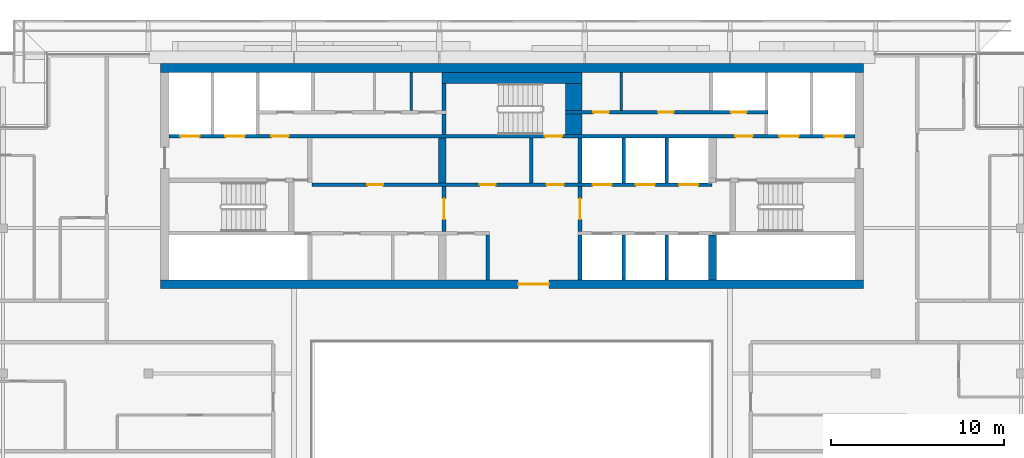
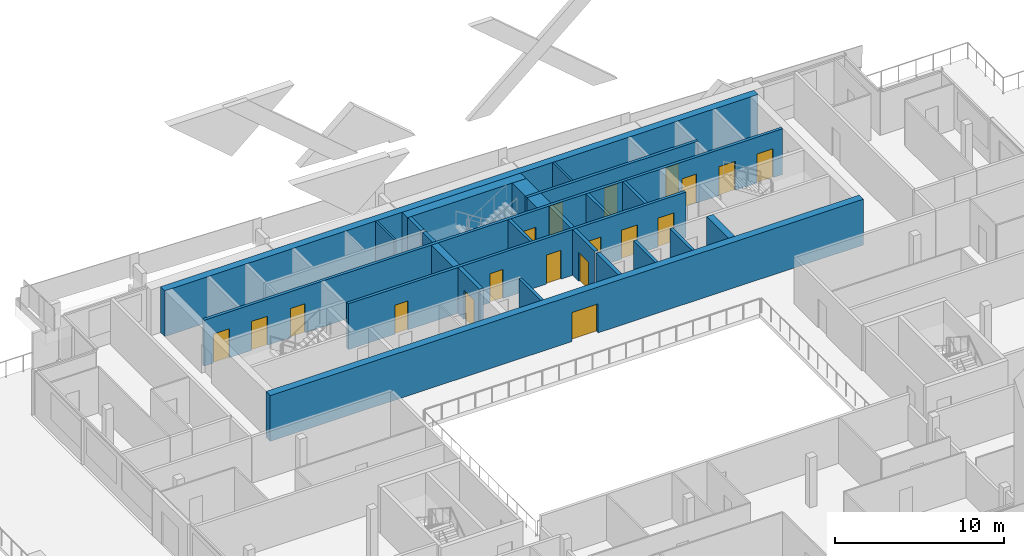
# One storey, part 20 of 29: 24 walls, 19 doors, 19 openings.
"""IFC4 building model written with IfcOpenShell, lengths in metres."""

from ifc_helpers import new_model, si_unit, direction, frame, frame_2d, origin, place, context, subcontext, project, spatial, rectangle, extrude, material, layer, layer_set, type_object, element, fill, save


model = new_model("IFC4")

# Units and contexts
model_context = context("Model", 3, precision=1e-05, world=origin(), true_north=direction((0.0, 1.0)))
body_context = subcontext(model_context, "Body", "Model", "MODEL_VIEW")
ifc_project = project(units=[si_unit("LENGTHUNIT", "METRE"), si_unit("AREAUNIT", "SQUARE_METRE"), si_unit("VOLUMEUNIT", "CUBIC_METRE"), si_unit("PLANEANGLEUNIT", "RADIAN"), si_unit("MASSUNIT", "GRAM", prefix="KILO")], contexts=[model_context])

# Site, building, storey
site_placement = place(None, origin())
site = spatial("IfcSite", under=ifc_project, at=site_placement, CompositionType="ELEMENT")
building_placement = place(site_placement, origin())
building = spatial("IfcBuilding", under=site, at=building_placement, Name="Saffron Gate Tower", CompositionType="ELEMENT")
storey_placement = place(building_placement, frame((0.0, 0.0, 270.75)))
storey = spatial("IfcBuildingStorey", under=building, at=storey_placement, Name="L65", CompositionType="ELEMENT", Elevation=270.75)

# Walls
ifc_material_1 = material(Name="Gypsum board partition on steel studs", Category="steel")
ifc_layer_1 = layer(ifc_material_1, 0.199951171875)
ifc_layer_set_1 = layer_set([ifc_layer_1], Name="CW10 Core partition 200")
wall_type_1 = type_object("IfcWallType", Name="CW10 Core partition 200", PredefinedType="PARTITIONING", material=ifc_layer_set_1)
for number, where, z_axis, x_axis, name in (
    (1, (86.199951171875, 62.39990234375, 0.0), (0.0, 0.0, 1.0), (0.0, 1.0, 0.0), "Wall CW10-L65-8"),
    (2, (88.699951171875, 68.0, 0.0), (0.0, 0.0, 1.0), (0.0, 1.0, 0.0), "Wall CW10-L65-21"),
):
    element("IfcWall", number, at=place(storey_placement, frame(where, z_axis=z_axis, x_axis=x_axis)), inside=storey, type_object=wall_type_1, Name=name, PredefinedType="PARTITIONING", context=body_context, shape_type="SweptSolid", body=[
        extrude(rectangle(XDim=2.60009765625, YDim=0.199951171875, at=frame_2d((1.300048828125, 0.0))), origin(), (0.0, 0.0, 1.0), 3.320068359375),
    ])

# Wall, opening, door
ifc_material_2 = material(Name="Concrete C50", Category="concrete")
ifc_layer_2 = layer(ifc_material_2, 0.5)
ifc_layer_set_2 = layer_set([ifc_layer_2], Name="CW22 RC core wall 500 C50")
wall_type_2 = type_object("IfcWallType", Name="CW22 RC core wall 500 C50", PredefinedType="SOLIDWALL", material=ifc_layer_set_2)
wall_1_placement = place(storey_placement, frame((67.300048828125, 62.14990234375, 0.0), z_axis=(0.0, 0.0, 1.0), x_axis=(1.0, 0.0, 0.0)))
wall_1 = element("IfcWall", 3, at=wall_1_placement, inside=storey, type_object=wall_type_2, Name="Wall CW22-L65-1", PredefinedType="SOLIDWALL", context=body_context, shape_type="SweptSolid", body=[
    extrude(rectangle(XDim=40.599853515625, YDim=0.5, at=frame_2d((20.2998046875, 0.0))), origin(), (0.0, 0.0, 1.0), 3.320068359375),
])
opening_1_placement = place(wall_1_placement, frame((20.64990234375, 0.0, 0.0)))
opening_1 = element("IfcOpeningElement", 4, at=opening_1_placement, cuts=wall_1, Name="Opening CR-09", PredefinedType="OPENING", context=body_context, shape_type="SweptSolid", body=[
    extrude(rectangle(XDim=1.800048828125, YDim=2.10009765625, at=frame_2d((0.89990234375, 1.050048828125))), frame((0.0, 0.260009765625, 0.0), z_axis=(0.0, -1.0, 0.0), x_axis=(1.0, 0.0, 0.0)), (0.0, 0.0, 1.0), 0.52001953125),
])
ifc_material_3 = material(Name="Steel fire door set", Category="steel")
door_type_1 = type_object("IfcDoorType", Name="CD1 Core entrance door 1800x2100 EI 120", OperationType="NOTDEFINED", PredefinedType="DOOR", material=ifc_material_3)
door_1_placement = place(opening_1_placement, origin())
door_1 = element("IfcDoor", 5, at=door_1_placement, inside=storey, type_object=door_type_1, Name="DOOR CR-09", OperationType="DOUBLE_DOOR_SINGLE_SWING", OverallHeight=2.10009765625, OverallWidth=1.800048828125, PredefinedType="DOOR", context=body_context, shape_type="SweptSolid", body=[
    extrude(rectangle(XDim=1.800048828125, YDim=2.10009765625, at=frame_2d((0.89990234375, 1.050048828125))), frame((0.0, 0.02490234375, 0.0), z_axis=(0.0, -1.0, 0.0), x_axis=(1.0, 0.0, 0.0)), (0.0, 0.0, 1.0), 0.050048828125),
])
fill(opening_1, door_1)

# Walls
wall_2_placement = place(storey_placement, frame((67.300048828125, 74.64990234375, 0.0), z_axis=(0.0, 0.0, 1.0), x_axis=(1.0, 0.0, 0.0)))
element("IfcWall", 6, at=wall_2_placement, inside=storey, type_object=wall_type_2, Name="Wall CW22-L65-2", PredefinedType="SOLIDWALL", context=body_context, shape_type="SweptSolid", body=[
    extrude(rectangle(XDim=40.599853515625, YDim=0.5, at=frame_2d((20.2998046875, 0.0))), origin(), (0.0, 0.0, 1.0), 3.320068359375),
])
ifc_layer_3 = layer(ifc_material_2, 0.25)
ifc_layer_set_3 = layer_set([ifc_layer_3], Name="CW23 RC core wall 250 C50")
wall_type_3 = type_object("IfcWallType", Name="CW23 RC core wall 250 C50", PredefinedType="SOLIDWALL", material=ifc_layer_set_3)
wall_3_placement = place(storey_placement, frame((91.52490234375, 62.39990234375, 0.0), z_axis=(0.0, 0.0, 1.0), x_axis=(0.0, 1.0, 0.0)))
element("IfcWall", 7, at=wall_3_placement, inside=storey, type_object=wall_type_3, Name="Wall CW23-L65-9", PredefinedType="SOLIDWALL", context=body_context, shape_type="SweptSolid", body=[
    extrude(rectangle(XDim=2.60009765625, YDim=0.25, at=frame_2d((1.300048828125, 0.0))), origin(), (0.0, 0.0, 1.0), 3.320068359375),
])

# Wall, opening, door
wall_4_placement = place(storey_placement, frame((83.675048828125, 65.199951171875, 0.0), z_axis=(0.0, 0.0, 1.0), x_axis=(0.0, 1.0, 0.0)))
wall_4 = element("IfcWall", 8, at=wall_4_placement, inside=storey, type_object=wall_type_3, Name="Wall CW23-L65-16", PredefinedType="SOLIDWALL", context=body_context, shape_type="SweptSolid", body=[
    extrude(rectangle(XDim=2.60009765625, YDim=0.25, at=frame_2d((1.300048828125, 0.0))), origin(), (0.0, 0.0, 1.0), 3.320068359375),
])
opening_2_placement = place(wall_4_placement, frame((0.699951171875, 0.0, 0.0)))
opening_2 = element("IfcOpeningElement", 9, at=opening_2_placement, cuts=wall_4, Name="Opening CR-07", PredefinedType="OPENING", context=body_context, shape_type="SweptSolid", body=[
    extrude(rectangle(XDim=1.199951171875, YDim=2.10009765625, at=frame_2d((0.60009765625, 1.050048828125))), frame((0.0, 0.135009765625, 0.0), z_axis=(0.0, -1.0, 0.0), x_axis=(1.0, 0.0, 0.0)), (0.0, 0.0, 1.0), 0.27001953125),
])
door_type_2 = type_object("IfcDoorType", Name="CD3 Lobby door 1200x2100 EI 120", OperationType="NOTDEFINED", PredefinedType="DOOR", material=ifc_material_3)
door_2_placement = place(opening_2_placement, origin())
door_2 = element("IfcDoor", 10, at=door_2_placement, inside=storey, type_object=door_type_2, Name="DOOR CR-07", OperationType="SINGLE_SWING_RIGHT", OverallHeight=2.10009765625, OverallWidth=1.199951171875, PredefinedType="DOOR", context=body_context, shape_type="SweptSolid", body=[
    extrude(rectangle(XDim=1.199951171875, YDim=2.10009765625, at=frame_2d((0.60009765625, 1.050048828125))), frame((0.0, 0.02490234375, 0.0), z_axis=(0.0, -1.0, 0.0), x_axis=(1.0, 0.0, 0.0)), (0.0, 0.0, 1.0), 0.050048828125),
])
fill(opening_2, door_2)

wall_5_placement = place(storey_placement, frame((91.52490234375, 65.199951171875, 0.0), z_axis=(0.0, 0.0, 1.0), x_axis=(0.0, 1.0, 0.0)))
wall_5 = element("IfcWall", 11, at=wall_5_placement, inside=storey, type_object=wall_type_3, Name="Wall CW23-L65-17", PredefinedType="SOLIDWALL", context=body_context, shape_type="SweptSolid", body=[
    extrude(rectangle(XDim=2.60009765625, YDim=0.25, at=frame_2d((1.300048828125, 0.0))), origin(), (0.0, 0.0, 1.0), 3.320068359375),
])
opening_3_placement = place(wall_5_placement, frame((0.699951171875, 0.0, 0.0)))
opening_3 = element("IfcOpeningElement", 12, at=opening_3_placement, cuts=wall_5, Name="Opening CR-01", PredefinedType="OPENING", context=body_context, shape_type="SweptSolid", body=[
    extrude(rectangle(XDim=1.199951171875, YDim=2.10009765625, at=frame_2d((0.60009765625, 1.050048828125))), frame((0.0, 0.135009765625, 0.0), z_axis=(0.0, -1.0, 0.0), x_axis=(1.0, 0.0, 0.0)), (0.0, 0.0, 1.0), 0.27001953125),
])
door_3_placement = place(opening_3_placement, origin())
door_3 = element("IfcDoor", 13, at=door_3_placement, inside=storey, type_object=door_type_2, Name="DOOR CR-01", OperationType="SINGLE_SWING_RIGHT", OverallHeight=2.10009765625, OverallWidth=1.199951171875, PredefinedType="DOOR", context=body_context, shape_type="SweptSolid", body=[
    extrude(rectangle(XDim=1.199951171875, YDim=2.10009765625, at=frame_2d((0.60009765625, 1.050048828125))), frame((0.0, 0.02490234375, 0.0), z_axis=(0.0, -1.0, 0.0), x_axis=(1.0, 0.0, 0.0)), (0.0, 0.0, 1.0), 0.050048828125),
])
fill(opening_3, door_3)

# Walls
wall_6_placement = place(storey_placement, frame((91.52490234375, 68.0, 0.0), z_axis=(0.0, 0.0, 1.0), x_axis=(0.0, 1.0, 0.0)))
element("IfcWall", 14, at=wall_6_placement, inside=storey, type_object=wall_type_3, Name="Wall CW23-L65-22", PredefinedType="SOLIDWALL", context=body_context, shape_type="SweptSolid", body=[
    extrude(rectangle(XDim=2.60009765625, YDim=0.25, at=frame_2d((1.300048828125, 0.0))), origin(), (0.0, 0.0, 1.0), 3.320068359375),
])
wall_7_placement = place(storey_placement, frame((83.675048828125, 70.800048828125, 0.0), z_axis=(0.0, 0.0, 1.0), x_axis=(0.0, 1.0, 0.0)))
element("IfcWall", 15, at=wall_7_placement, inside=storey, type_object=wall_type_3, Name="Wall CW23-L65-33", PredefinedType="SOLIDWALL", context=body_context, shape_type="SweptSolid", body=[
    extrude(rectangle(XDim=1.199951171875, YDim=0.25, at=frame_2d((0.60009765625, 0.0))), origin(), (0.0, 0.0, 1.0), 3.320068359375),
])
wall_8_placement = place(storey_placement, frame((83.675048828125, 72.199951171875, 0.0), z_axis=(0.0, 0.0, 1.0), x_axis=(0.0, 1.0, 0.0)))
element("IfcWall", 16, at=wall_8_placement, inside=storey, type_object=wall_type_3, Name="Wall CW23-L65-43", PredefinedType="SOLIDWALL", context=body_context, shape_type="SweptSolid", body=[
    extrude(rectangle(XDim=1.550048828125, YDim=0.25, at=frame_2d((0.77490234375, 0.0))), origin(), (0.0, 0.0, 1.0), 3.320068359375),
])
ifc_layer_4 = layer(ifc_material_2, 0.449951171875)
ifc_layer_set_4 = layer_set([ifc_layer_4], Name="CW24 RC core wall 450 C50")
wall_type_4 = type_object("IfcWallType", Name="CW24 RC core wall 450 C50", PredefinedType="SOLIDWALL", material=ifc_layer_set_4)
for number, where, z_axis, x_axis, name in (
    (17, (99.175048828125, 62.39990234375, 0.0), (0.0, 0.0, 1.0), (0.0, 1.0, 0.0), "Wall CW24-L65-12"),
    (18, (83.574951171875, 68.0, 0.0), (0.0, 0.0, 1.0), (0.0, 1.0, 0.0), "Wall CW24-L65-20"),
):
    element("IfcWall", number, at=place(storey_placement, frame(where, z_axis=z_axis, x_axis=x_axis)), inside=storey, type_object=wall_type_4, Name=name, PredefinedType="SOLIDWALL", context=body_context, shape_type="SweptSolid", body=[
        extrude(rectangle(XDim=2.60009765625, YDim=0.449951171875, at=frame_2d((1.300048828125, 0.0))), origin(), (0.0, 0.0, 1.0), 3.320068359375),
    ])
ifc_layer_5 = layer(ifc_material_2, 0.199951171875)
ifc_layer_set_5 = layer_set([ifc_layer_5], Name="CW25 RC core wall 200 C50")
wall_type_5 = type_object("IfcWallType", Name="CW25 RC core wall 200 C50", PredefinedType="SOLIDWALL", material=ifc_layer_set_5)
for number, where, z_axis, x_axis, name in (
    (19, (94.050048828125, 62.39990234375, 0.0), (0.0, 0.0, 1.0), (0.0, 1.0, 0.0), "Wall CW25-L65-10"),
    (20, (96.550048828125, 62.39990234375, 0.0), (0.0, 0.0, 1.0), (0.0, 1.0, 0.0), "Wall CW25-L65-11"),
):
    element("IfcWall", number, at=place(storey_placement, frame(where, z_axis=z_axis, x_axis=x_axis)), inside=storey, type_object=wall_type_5, Name=name, PredefinedType="SOLIDWALL", context=body_context, shape_type="SweptSolid", body=[
        extrude(rectangle(XDim=2.60009765625, YDim=0.199951171875, at=frame_2d((1.300048828125, 0.0))), origin(), (0.0, 0.0, 1.0), 3.320068359375),
    ])

# Wall, openings, doors
wall_9_placement = place(storey_placement, frame((76.050048828125, 67.89990234375, 0.0), z_axis=(0.0, 0.0, 1.0), x_axis=(1.0, 0.0, 0.0)))
wall_9 = element("IfcWall", 21, at=wall_9_placement, inside=storey, type_object=wall_type_5, Name="Wall CW25-L65-19", PredefinedType="SOLIDWALL", context=body_context, shape_type="SweptSolid", body=[
    extrude(rectangle(XDim=23.099853515625, YDim=0.199951171875, at=frame_2d((11.5498046875, 0.0))), origin(), (0.0, 0.0, 1.0), 3.320068359375),
])
opening_4_placement = place(wall_9_placement, frame((3.199951171875, 0.0, 0.0)))
opening_4 = element("IfcOpeningElement", 22, at=opening_4_placement, cuts=wall_9, Name="Opening CR-61", PredefinedType="OPENING", context=body_context, shape_type="SweptSolid", body=[
    extrude(rectangle(XDim=0.89990234375, YDim=2.10009765625, at=frame_2d((0.449951171875, 1.050048828125))), frame((0.0, 0.10986328125, 0.0), z_axis=(0.0, -1.0, 0.0), x_axis=(1.0, 0.0, 0.0)), (0.0, 0.0, 1.0), 0.219970703125),
])
opening_5_placement = place(wall_9_placement, frame((9.699951171875, 0.0, 0.0)))
opening_5 = element("IfcOpeningElement", 23, at=opening_5_placement, cuts=wall_9, Name="Opening CR-67", PredefinedType="OPENING", context=body_context, shape_type="SweptSolid", body=[
    extrude(rectangle(XDim=0.89990234375, YDim=2.10009765625, at=frame_2d((0.449951171875, 1.050048828125))), frame((0.0, 0.10986328125, 0.0), z_axis=(0.0, -1.0, 0.0), x_axis=(1.0, 0.0, 0.0)), (0.0, 0.0, 1.0), 0.219970703125),
])
opening_6_placement = place(wall_9_placement, frame((13.550048828125, 0.0, 0.0)))
opening_6 = element("IfcOpeningElement", 24, at=opening_6_placement, cuts=wall_9, Name="Opening CR-02", PredefinedType="OPENING", context=body_context, shape_type="SweptSolid", body=[
    extrude(rectangle(XDim=1.0, YDim=2.10009765625, at=frame_2d((0.5, 1.050048828125))), frame((0.0, 0.10986328125, 0.0), z_axis=(0.0, -1.0, 0.0), x_axis=(1.0, 0.0, 0.0)), (0.0, 0.0, 1.0), 0.219970703125),
])
opening_7_placement = place(wall_9_placement, frame((16.199951171875, 0.0, 0.0)))
opening_7 = element("IfcOpeningElement", 25, at=opening_7_placement, cuts=wall_9, Name="Opening LD-HR4", PredefinedType="OPENING", context=body_context, shape_type="SweptSolid", body=[
    extrude(rectangle(XDim=1.10009765625, YDim=2.10009765625, at=frame_2d((0.550048828125, 1.050048828125))), frame((0.0, 0.10986328125, 0.0), z_axis=(0.0, -1.0, 0.0), x_axis=(1.0, 0.0, 0.0)), (0.0, 0.0, 1.0), 0.219970703125),
])
opening_8_placement = place(wall_9_placement, frame((18.699951171875, 0.0, 0.0)))
opening_8 = element("IfcOpeningElement", 26, at=opening_8_placement, cuts=wall_9, Name="Opening LD-HR5", PredefinedType="OPENING", context=body_context, shape_type="SweptSolid", body=[
    extrude(rectangle(XDim=1.10009765625, YDim=2.10009765625, at=frame_2d((0.550048828125, 1.050048828125))), frame((0.0, 0.10986328125, 0.0), z_axis=(0.0, -1.0, 0.0), x_axis=(1.0, 0.0, 0.0)), (0.0, 0.0, 1.0), 0.219970703125),
])
opening_9_placement = place(wall_9_placement, frame((21.199951171875, 0.0, 0.0)))
opening_9 = element("IfcOpeningElement", 27, at=opening_9_placement, cuts=wall_9, Name="Opening LD-HR6", PredefinedType="OPENING", context=body_context, shape_type="SweptSolid", body=[
    extrude(rectangle(XDim=1.10009765625, YDim=2.10009765625, at=frame_2d((0.550048828125, 1.050048828125))), frame((0.0, 0.10986328125, 0.0), z_axis=(0.0, -1.0, 0.0), x_axis=(1.0, 0.0, 0.0)), (0.0, 0.0, 1.0), 0.219970703125),
])
door_type_3 = type_object("IfcDoorType", Name="CD4 Lobby door 1000x2100 EI 120", OperationType="NOTDEFINED", PredefinedType="DOOR", material=ifc_material_3)
door_4_placement = place(opening_6_placement, origin())
door_4 = element("IfcDoor", 28, at=door_4_placement, inside=storey, type_object=door_type_3, Name="DOOR CR-02", OperationType="SINGLE_SWING_LEFT", OverallHeight=2.10009765625, OverallWidth=1.0, PredefinedType="DOOR", context=body_context, shape_type="SweptSolid", body=[
    extrude(rectangle(XDim=1.0, YDim=2.10009765625, at=frame_2d((0.5, 1.050048828125))), frame((0.0, 0.02490234375, 0.0), z_axis=(0.0, -1.0, 0.0), x_axis=(1.0, 0.0, 0.0)), (0.0, 0.0, 1.0), 0.050048828125),
])
fill(opening_6, door_4)
door_type_4 = type_object("IfcDoorType", Name="CD9 Room door 900x2100 EI 60", OperationType="NOTDEFINED", PredefinedType="DOOR", material=ifc_material_3)
door_5_placement = place(opening_4_placement, origin())
door_5 = element("IfcDoor", 29, at=door_5_placement, inside=storey, type_object=door_type_4, Name="DOOR CR-61", OperationType="SINGLE_SWING_LEFT", OverallHeight=2.10009765625, OverallWidth=0.89990234375, PredefinedType="DOOR", context=body_context, shape_type="SweptSolid", body=[
    extrude(rectangle(XDim=0.89990234375, YDim=2.10009765625, at=frame_2d((0.449951171875, 1.050048828125))), frame((0.0, 0.02490234375, 0.0), z_axis=(0.0, -1.0, 0.0), x_axis=(1.0, 0.0, 0.0)), (0.0, 0.0, 1.0), 0.050048828125),
])
fill(opening_4, door_5)
door_6_placement = place(opening_5_placement, origin())
door_6 = element("IfcDoor", 30, at=door_6_placement, inside=storey, type_object=door_type_4, Name="DOOR CR-67", OperationType="SINGLE_SWING_LEFT", OverallHeight=2.10009765625, OverallWidth=0.89990234375, PredefinedType="DOOR", context=body_context, shape_type="SweptSolid", body=[
    extrude(rectangle(XDim=0.89990234375, YDim=2.10009765625, at=frame_2d((0.449951171875, 1.050048828125))), frame((0.0, 0.02490234375, 0.0), z_axis=(0.0, -1.0, 0.0), x_axis=(1.0, 0.0, 0.0)), (0.0, 0.0, 1.0), 0.050048828125),
])
fill(opening_5, door_6)
ifc_material_4 = material(Name="Stainless steel landing door", Category="steel")
door_type_5 = type_object("IfcDoorType", Name="LD Lift landing door 1100x2100 EI 120", OperationType="SLIDING_TO_LEFT", PredefinedType="DOOR", material=ifc_material_4)
door_7_placement = place(opening_7_placement, origin())
door_7 = element("IfcDoor", 31, at=door_7_placement, inside=storey, type_object=door_type_5, Name="LANDING DOOR LD-HR4", OperationType="SLIDING_TO_RIGHT", OverallHeight=2.10009765625, OverallWidth=1.10009765625, PredefinedType="DOOR", context=body_context, shape_type="SweptSolid", body=[
    extrude(rectangle(XDim=1.10009765625, YDim=2.10009765625, at=frame_2d((0.550048828125, 1.050048828125))), frame((0.0, 0.02490234375, 0.0), z_axis=(0.0, -1.0, 0.0), x_axis=(1.0, 0.0, 0.0)), (0.0, 0.0, 1.0), 0.050048828125),
])
fill(opening_7, door_7)
door_8_placement = place(opening_8_placement, origin())
door_8 = element("IfcDoor", 32, at=door_8_placement, inside=storey, type_object=door_type_5, Name="LANDING DOOR LD-HR5", OperationType="SLIDING_TO_RIGHT", OverallHeight=2.10009765625, OverallWidth=1.10009765625, PredefinedType="DOOR", context=body_context, shape_type="SweptSolid", body=[
    extrude(rectangle(XDim=1.10009765625, YDim=2.10009765625, at=frame_2d((0.550048828125, 1.050048828125))), frame((0.0, 0.02490234375, 0.0), z_axis=(0.0, -1.0, 0.0), x_axis=(1.0, 0.0, 0.0)), (0.0, 0.0, 1.0), 0.050048828125),
])
fill(opening_8, door_8)
door_9_placement = place(opening_9_placement, origin())
door_9 = element("IfcDoor", 33, at=door_9_placement, inside=storey, type_object=door_type_5, Name="LANDING DOOR LD-HR6", OperationType="SLIDING_TO_RIGHT", OverallHeight=2.10009765625, OverallWidth=1.10009765625, PredefinedType="DOOR", context=body_context, shape_type="SweptSolid", body=[
    extrude(rectangle(XDim=1.10009765625, YDim=2.10009765625, at=frame_2d((0.550048828125, 1.050048828125))), frame((0.0, 0.02490234375, 0.0), z_axis=(0.0, -1.0, 0.0), x_axis=(1.0, 0.0, 0.0)), (0.0, 0.0, 1.0), 0.050048828125),
])
fill(opening_9, door_9)

# Walls
for number, where, z_axis, x_axis, name in (
    (34, (94.050048828125, 68.0, 0.0), (0.0, 0.0, 1.0), (0.0, 1.0, 0.0), "Wall CW25-L65-23"),
    (35, (96.550048828125, 68.0, 0.0), (0.0, 0.0, 1.0), (0.0, 1.0, 0.0), "Wall CW25-L65-24"),
):
    element("IfcWall", number, at=place(storey_placement, frame(where, z_axis=z_axis, x_axis=x_axis)), inside=storey, type_object=wall_type_5, Name=name, PredefinedType="SOLIDWALL", context=body_context, shape_type="SweptSolid", body=[
        extrude(rectangle(XDim=2.60009765625, YDim=0.199951171875, at=frame_2d((1.300048828125, 0.0))), origin(), (0.0, 0.0, 1.0), 3.320068359375),
    ])

# Wall, openings, doors
wall_10_placement = place(storey_placement, frame((67.800048828125, 70.699951171875, 0.0), z_axis=(0.0, 0.0, 1.0), x_axis=(1.0, 0.0, 0.0)))
wall_10 = element("IfcWall", 36, at=wall_10_placement, inside=storey, type_object=wall_type_5, Name="Wall CW25-L65-30", PredefinedType="SOLIDWALL", context=body_context, shape_type="SweptSolid", body=[
    extrude(rectangle(XDim=39.599853515625, YDim=0.199951171875, at=frame_2d((19.7998046875, 0.0))), origin(), (0.0, 0.0, 1.0), 3.320068359375),
])
opening_10_placement = place(wall_10_placement, frame((0.64990234375, 0.0, 0.0)))
opening_10 = element("IfcOpeningElement", 37, at=opening_10_placement, cuts=wall_10, Name="Opening LD-FF1", PredefinedType="OPENING", context=body_context, shape_type="SweptSolid", body=[
    extrude(rectangle(XDim=1.10009765625, YDim=2.10009765625, at=frame_2d((0.550048828125, 1.050048828125))), frame((0.0, 0.10986328125, 0.0), z_axis=(0.0, -1.0, 0.0), x_axis=(1.0, 0.0, 0.0)), (0.0, 0.0, 1.0), 0.219970703125),
])
opening_11_placement = place(wall_10_placement, frame((3.25, 0.0, 0.0)))
opening_11 = element("IfcOpeningElement", 38, at=opening_11_placement, cuts=wall_10, Name="Opening LD-SV1", PredefinedType="OPENING", context=body_context, shape_type="SweptSolid", body=[
    extrude(rectangle(XDim=1.10009765625, YDim=2.10009765625, at=frame_2d((0.550048828125, 1.050048828125))), frame((0.0, 0.10986328125, 0.0), z_axis=(0.0, -1.0, 0.0), x_axis=(1.0, 0.0, 0.0)), (0.0, 0.0, 1.0), 0.219970703125),
])
opening_12_placement = place(wall_10_placement, frame((5.89990234375, 0.0, 0.0)))
opening_12 = element("IfcOpeningElement", 39, at=opening_12_placement, cuts=wall_10, Name="Opening CR-03", PredefinedType="OPENING", context=body_context, shape_type="SweptSolid", body=[
    extrude(rectangle(XDim=1.0, YDim=2.10009765625, at=frame_2d((0.5, 1.050048828125))), frame((0.0, 0.10986328125, 0.0), z_axis=(0.0, -1.0, 0.0), x_axis=(1.0, 0.0, 0.0)), (0.0, 0.0, 1.0), 0.219970703125),
])
opening_13_placement = place(wall_10_placement, frame((21.699951171875, 0.0, 0.0)))
opening_13 = element("IfcOpeningElement", 40, at=opening_13_placement, cuts=wall_10, Name="Opening CR-17", PredefinedType="OPENING", context=body_context, shape_type="SweptSolid", body=[
    extrude(rectangle(XDim=1.0, YDim=2.10009765625, at=frame_2d((0.5, 1.050048828125))), frame((0.0, 0.10986328125, 0.0), z_axis=(0.0, -1.0, 0.0), x_axis=(1.0, 0.0, 0.0)), (0.0, 0.0, 1.0), 0.219970703125),
])
opening_14_placement = place(wall_10_placement, frame((32.699951171875, 0.0, 0.0)))
opening_14 = element("IfcOpeningElement", 41, at=opening_14_placement, cuts=wall_10, Name="Opening CR-04", PredefinedType="OPENING", context=body_context, shape_type="SweptSolid", body=[
    extrude(rectangle(XDim=1.0, YDim=2.10009765625, at=frame_2d((0.5, 1.050048828125))), frame((0.0, 0.10986328125, 0.0), z_axis=(0.0, -1.0, 0.0), x_axis=(1.0, 0.0, 0.0)), (0.0, 0.0, 1.0), 0.219970703125),
])
opening_15_placement = place(wall_10_placement, frame((35.25, 0.0, 0.0)))
opening_15 = element("IfcOpeningElement", 42, at=opening_15_placement, cuts=wall_10, Name="Opening LD-SV2", PredefinedType="OPENING", context=body_context, shape_type="SweptSolid", body=[
    extrude(rectangle(XDim=1.10009765625, YDim=2.10009765625, at=frame_2d((0.550048828125, 1.050048828125))), frame((0.0, 0.10986328125, 0.0), z_axis=(0.0, -1.0, 0.0), x_axis=(1.0, 0.0, 0.0)), (0.0, 0.0, 1.0), 0.219970703125),
])
opening_16_placement = place(wall_10_placement, frame((37.85009765625, 0.0, 0.0)))
opening_16 = element("IfcOpeningElement", 43, at=opening_16_placement, cuts=wall_10, Name="Opening LD-FF2", PredefinedType="OPENING", context=body_context, shape_type="SweptSolid", body=[
    extrude(rectangle(XDim=1.10009765625, YDim=2.10009765625, at=frame_2d((0.550048828125, 1.050048828125))), frame((0.0, 0.10986328125, 0.0), z_axis=(0.0, -1.0, 0.0), x_axis=(1.0, 0.0, 0.0)), (0.0, 0.0, 1.0), 0.219970703125),
])
door_10_placement = place(opening_12_placement, origin())
door_10 = element("IfcDoor", 44, at=door_10_placement, inside=storey, type_object=door_type_3, Name="DOOR CR-03", OperationType="SINGLE_SWING_LEFT", OverallHeight=2.10009765625, OverallWidth=1.0, PredefinedType="DOOR", context=body_context, shape_type="SweptSolid", body=[
    extrude(rectangle(XDim=1.0, YDim=2.10009765625, at=frame_2d((0.5, 1.050048828125))), frame((0.0, 0.02490234375, 0.0), z_axis=(0.0, -1.0, 0.0), x_axis=(1.0, 0.0, 0.0)), (0.0, 0.0, 1.0), 0.050048828125),
])
fill(opening_12, door_10)
door_11_placement = place(opening_14_placement, origin())
door_11 = element("IfcDoor", 45, at=door_11_placement, inside=storey, type_object=door_type_3, Name="DOOR CR-04", OperationType="SINGLE_SWING_RIGHT", OverallHeight=2.10009765625, OverallWidth=1.0, PredefinedType="DOOR", context=body_context, shape_type="SweptSolid", body=[
    extrude(rectangle(XDim=1.0, YDim=2.10009765625, at=frame_2d((0.5, 1.050048828125))), frame((0.0, 0.02490234375, 0.0), z_axis=(0.0, -1.0, 0.0), x_axis=(1.0, 0.0, 0.0)), (0.0, 0.0, 1.0), 0.050048828125),
])
fill(opening_14, door_11)
door_type_6 = type_object("IfcDoorType", Name="CD5 Stair door 1000x2100 EI 120", OperationType="NOTDEFINED", PredefinedType="DOOR", material=ifc_material_3)
door_12_placement = place(opening_13_placement, origin())
door_12 = element("IfcDoor", 46, at=door_12_placement, inside=storey, type_object=door_type_6, Name="DOOR CR-17", OperationType="SINGLE_SWING_RIGHT", OverallHeight=2.10009765625, OverallWidth=1.0, PredefinedType="DOOR", context=body_context, shape_type="SweptSolid", body=[
    extrude(rectangle(XDim=1.0, YDim=2.10009765625, at=frame_2d((0.5, 1.050048828125))), frame((0.0, 0.02490234375, 0.0), z_axis=(0.0, -1.0, 0.0), x_axis=(1.0, 0.0, 0.0)), (0.0, 0.0, 1.0), 0.050048828125),
])
fill(opening_13, door_12)
door_13_placement = place(opening_10_placement, origin())
door_13 = element("IfcDoor", 47, at=door_13_placement, inside=storey, type_object=door_type_5, Name="LANDING DOOR LD-FF1", OperationType="SLIDING_TO_RIGHT", OverallHeight=2.10009765625, OverallWidth=1.10009765625, PredefinedType="DOOR", context=body_context, shape_type="SweptSolid", body=[
    extrude(rectangle(XDim=1.10009765625, YDim=2.10009765625, at=frame_2d((0.550048828125, 1.050048828125))), frame((0.0, 0.02490234375, 0.0), z_axis=(0.0, -1.0, 0.0), x_axis=(1.0, 0.0, 0.0)), (0.0, 0.0, 1.0), 0.050048828125),
])
fill(opening_10, door_13)
door_14_placement = place(opening_11_placement, origin())
door_14 = element("IfcDoor", 48, at=door_14_placement, inside=storey, type_object=door_type_5, Name="LANDING DOOR LD-SV1", OperationType="SLIDING_TO_RIGHT", OverallHeight=2.10009765625, OverallWidth=1.10009765625, PredefinedType="DOOR", context=body_context, shape_type="SweptSolid", body=[
    extrude(rectangle(XDim=1.10009765625, YDim=2.10009765625, at=frame_2d((0.550048828125, 1.050048828125))), frame((0.0, 0.02490234375, 0.0), z_axis=(0.0, -1.0, 0.0), x_axis=(1.0, 0.0, 0.0)), (0.0, 0.0, 1.0), 0.050048828125),
])
fill(opening_11, door_14)
door_15_placement = place(opening_15_placement, origin())
door_15 = element("IfcDoor", 49, at=door_15_placement, inside=storey, type_object=door_type_5, Name="LANDING DOOR LD-SV2", OperationType="SLIDING_TO_RIGHT", OverallHeight=2.10009765625, OverallWidth=1.10009765625, PredefinedType="DOOR", context=body_context, shape_type="SweptSolid", body=[
    extrude(rectangle(XDim=1.10009765625, YDim=2.10009765625, at=frame_2d((0.550048828125, 1.050048828125))), frame((0.0, 0.02490234375, 0.0), z_axis=(0.0, -1.0, 0.0), x_axis=(1.0, 0.0, 0.0)), (0.0, 0.0, 1.0), 0.050048828125),
])
fill(opening_15, door_15)
door_16_placement = place(opening_16_placement, origin())
door_16 = element("IfcDoor", 50, at=door_16_placement, inside=storey, type_object=door_type_5, Name="LANDING DOOR LD-FF2", OperationType="SLIDING_TO_RIGHT", OverallHeight=2.10009765625, OverallWidth=1.10009765625, PredefinedType="DOOR", context=body_context, shape_type="SweptSolid", body=[
    extrude(rectangle(XDim=1.10009765625, YDim=2.10009765625, at=frame_2d((0.550048828125, 1.050048828125))), frame((0.0, 0.02490234375, 0.0), z_axis=(0.0, -1.0, 0.0), x_axis=(1.0, 0.0, 0.0)), (0.0, 0.0, 1.0), 0.050048828125),
])
fill(opening_16, door_16)

wall_11_placement = place(storey_placement, frame((90.699951171875, 72.10009765625, 0.0), z_axis=(0.0, 0.0, 1.0), x_axis=(1.0, 0.0, 0.0)))
wall_11 = element("IfcWall", 51, at=wall_11_placement, inside=storey, type_object=wall_type_5, Name="Wall CW25-L65-38", PredefinedType="SOLIDWALL", context=body_context, shape_type="SweptSolid", body=[
    extrude(rectangle(XDim=11.699951171875, YDim=0.199951171875, at=frame_2d((5.85009765625, 0.0))), origin(), (0.0, 0.0, 1.0), 3.320068359375),
])
opening_17_placement = place(wall_11_placement, frame((1.60009765625, 0.0, 0.0)))
opening_17 = element("IfcOpeningElement", 52, at=opening_17_placement, cuts=wall_11, Name="Opening CR-50", PredefinedType="OPENING", context=body_context, shape_type="SweptSolid", body=[
    extrude(rectangle(XDim=0.89990234375, YDim=2.10009765625, at=frame_2d((0.449951171875, 1.050048828125))), frame((0.0, 0.10986328125, 0.0), z_axis=(0.0, -1.0, 0.0), x_axis=(1.0, 0.0, 0.0)), (0.0, 0.0, 1.0), 0.219970703125),
])
opening_18_placement = place(wall_11_placement, frame((5.3349609375, 0.0, 0.0)))
opening_18 = element("IfcOpeningElement", 53, at=opening_18_placement, cuts=wall_11, Name="Opening CR-53", PredefinedType="OPENING", context=body_context, shape_type="SweptSolid", body=[
    extrude(rectangle(XDim=0.89990234375, YDim=2.10009765625, at=frame_2d((0.449951171875, 1.050048828125))), frame((0.0, 0.10986328125, 0.0), z_axis=(0.0, -1.0, 0.0), x_axis=(1.0, 0.0, 0.0)), (0.0, 0.0, 1.0), 0.219970703125),
])
opening_19_placement = place(wall_11_placement, frame((9.550048828125, 0.0, 0.0)))
opening_19 = element("IfcOpeningElement", 54, at=opening_19_placement, cuts=wall_11, Name="Opening CR-70", PredefinedType="OPENING", context=body_context, shape_type="SweptSolid", body=[
    extrude(rectangle(XDim=0.89990234375, YDim=2.10009765625, at=frame_2d((0.449951171875, 1.050048828125))), frame((0.0, 0.10986328125, 0.0), z_axis=(0.0, -1.0, 0.0), x_axis=(1.0, 0.0, 0.0)), (0.0, 0.0, 1.0), 0.219970703125),
])
door_type_7 = type_object("IfcDoorType", Name="CD2 Riser door 900x2100 EI 60", OperationType="NOTDEFINED", PredefinedType="DOOR", material=ifc_material_3)
door_17_placement = place(opening_19_placement, origin())
door_17 = element("IfcDoor", 55, at=door_17_placement, inside=storey, type_object=door_type_7, Name="DOOR CR-70", OperationType="SINGLE_SWING_LEFT", OverallHeight=2.10009765625, OverallWidth=0.89990234375, PredefinedType="DOOR", context=body_context, shape_type="SweptSolid", body=[
    extrude(rectangle(XDim=0.89990234375, YDim=2.10009765625, at=frame_2d((0.449951171875, 1.050048828125))), frame((0.0, 0.02490234375, 0.0), z_axis=(0.0, -1.0, 0.0), x_axis=(1.0, 0.0, 0.0)), (0.0, 0.0, 1.0), 0.050048828125),
])
fill(opening_19, door_17)
door_18_placement = place(opening_17_placement, origin())
door_18 = element("IfcDoor", 56, at=door_18_placement, inside=storey, type_object=door_type_4, Name="DOOR CR-50", OperationType="SINGLE_SWING_LEFT", OverallHeight=2.10009765625, OverallWidth=0.89990234375, PredefinedType="DOOR", context=body_context, shape_type="SweptSolid", body=[
    extrude(rectangle(XDim=0.89990234375, YDim=2.10009765625, at=frame_2d((0.449951171875, 1.050048828125))), frame((0.0, 0.02490234375, 0.0), z_axis=(0.0, -1.0, 0.0), x_axis=(1.0, 0.0, 0.0)), (0.0, 0.0, 1.0), 0.050048828125),
])
fill(opening_17, door_18)
door_19_placement = place(opening_18_placement, origin())
door_19 = element("IfcDoor", 57, at=door_19_placement, inside=storey, type_object=door_type_4, Name="DOOR CR-53", OperationType="SINGLE_SWING_LEFT", OverallHeight=2.10009765625, OverallWidth=0.89990234375, PredefinedType="DOOR", context=body_context, shape_type="SweptSolid", body=[
    extrude(rectangle(XDim=0.89990234375, YDim=2.10009765625, at=frame_2d((0.449951171875, 1.050048828125))), frame((0.0, 0.02490234375, 0.0), z_axis=(0.0, -1.0, 0.0), x_axis=(1.0, 0.0, 0.0)), (0.0, 0.0, 1.0), 0.050048828125),
])
fill(opening_18, door_19)

# Walls
ifc_layer_6 = layer(ifc_material_2, 0.949951171875)
ifc_layer_set_6 = layer_set([ifc_layer_6], Name="CW28 RC core wall 950 C50")
wall_type_6 = type_object("IfcWallType", Name="CW28 RC core wall 950 C50", PredefinedType="SOLIDWALL", material=ifc_layer_set_6)
wall_12_placement = place(storey_placement, frame((91.175048828125, 70.800048828125, 0.0), z_axis=(0.0, 0.0, 1.0), x_axis=(0.0, 1.0, 0.0)))
element("IfcWall", 58, at=wall_12_placement, inside=storey, type_object=wall_type_6, Name="Wall CW28-L65-34", PredefinedType="SOLIDWALL", context=body_context, shape_type="SweptSolid", body=[
    extrude(rectangle(XDim=1.199951171875, YDim=0.949951171875, at=frame_2d((0.60009765625, 0.0))), origin(), (0.0, 0.0, 1.0), 3.320068359375),
])
wall_13_placement = place(storey_placement, frame((91.175048828125, 72.199951171875, 0.0), z_axis=(0.0, 0.0, 1.0), x_axis=(0.0, 1.0, 0.0)))
element("IfcWall", 59, at=wall_13_placement, inside=storey, type_object=wall_type_6, Name="Wall CW28-L65-44", PredefinedType="SOLIDWALL", context=body_context, shape_type="SweptSolid", body=[
    extrude(rectangle(XDim=1.550048828125, YDim=0.949951171875, at=frame_2d((0.77490234375, 0.0))), origin(), (0.0, 0.0, 1.0), 3.320068359375),
])
ifc_layer_7 = layer(ifc_material_2, 0.64990234375)
ifc_layer_set_7 = layer_set([ifc_layer_7], Name="CW29 RC core wall 650 C50")
wall_type_7 = type_object("IfcWallType", Name="CW29 RC core wall 650 C50", PredefinedType="SOLIDWALL", material=ifc_layer_set_7)
wall_14_placement = place(storey_placement, frame((83.550048828125, 74.074951171875, 0.0), z_axis=(0.0, 0.0, 1.0), x_axis=(1.0, 0.0, 0.0)))
element("IfcWall", 60, at=wall_14_placement, inside=storey, type_object=wall_type_7, Name="Wall CW29-L65-48", PredefinedType="SOLIDWALL", context=body_context, shape_type="SweptSolid", body=[
    extrude(rectangle(XDim=8.099853515625, YDim=0.64990234375, at=frame_2d((4.0498046875, 0.0))), origin(), (0.0, 0.0, 1.0), 3.320068359375),
])
ifc_layer_8 = layer(ifc_material_1, 0.1201171875)
ifc_layer_set_8 = layer_set([ifc_layer_8], Name="CW8 Core partition 120")
wall_type_8 = type_object("IfcWallType", Name="CW8 Core partition 120", PredefinedType="PARTITIONING", material=ifc_layer_set_8)
for number, where, z_axis, x_axis, name in (
    (61, (81.780029296875, 72.199951171875, 0.0), (0.0, 0.0, 1.0), (0.0, 1.0, 0.0), "Wall CW8-L65-42"),
    (62, (93.909912109375, 72.199951171875, 0.0), (0.0, 0.0, 1.0), (0.0, 1.0, 0.0), "Wall CW8-L65-45"),
):
    element("IfcWall", number, at=place(storey_placement, frame(where, z_axis=z_axis, x_axis=x_axis)), inside=storey, type_object=wall_type_8, Name=name, PredefinedType="PARTITIONING", context=body_context, shape_type="SweptSolid", body=[
        extrude(rectangle(XDim=2.199951171875, YDim=0.1201171875, at=frame_2d((1.10009765625, 0.0))), origin(), (0.0, 0.0, 1.0), 3.320068359375),
    ])

save(model, "model.ifc")
